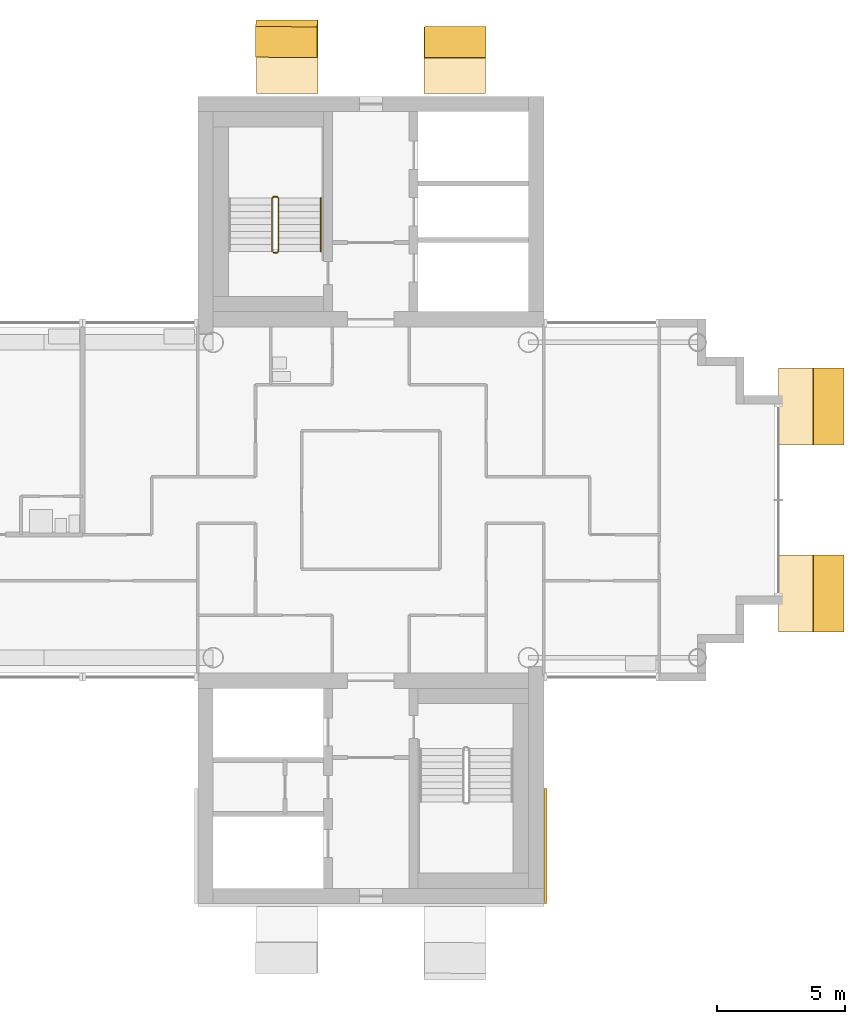
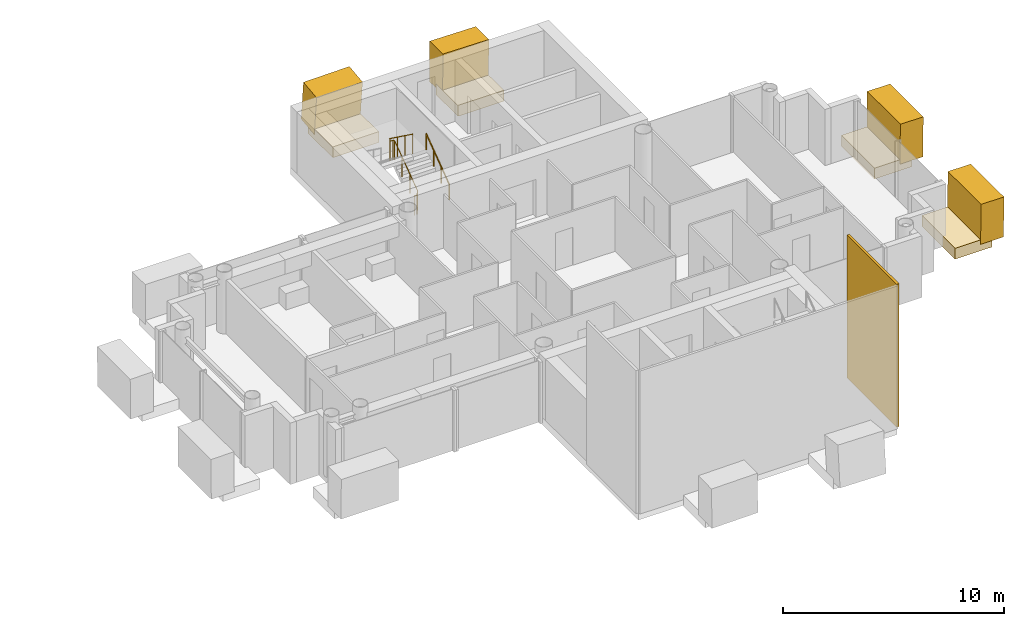
# One storey, part 17 of 18: 9 coverings, 2 railings.
"""IFC4 building model written with IfcOpenShell, lengths in metres."""

from ifc_helpers import new_model, si_unit, direction, frame, origin, origin_2d, place, context, subcontext, project, spatial, rectangle, circle, extrude, material, layer, layer_set, material_profile, profile_set, type_object, element, save


model = new_model("IFC4")

# Units and contexts
model_context = context("Model", 3, precision=1e-05, world=origin(), true_north=direction((0.0, 1.0)))
body_context = subcontext(model_context, "Body", "Model", "MODEL_VIEW")
ifc_project = project(units=[si_unit("LENGTHUNIT", "METRE"), si_unit("AREAUNIT", "SQUARE_METRE"), si_unit("VOLUMEUNIT", "CUBIC_METRE"), si_unit("PLANEANGLEUNIT", "RADIAN"), si_unit("MASSUNIT", "GRAM", prefix="KILO")], contexts=[model_context])

# Site, building, storey
site_placement = place(None, origin())
site = spatial("IfcSite", under=ifc_project, at=site_placement, CompositionType="ELEMENT")
building_placement = place(site_placement, origin())
building = spatial("IfcBuilding", under=site, at=building_placement, Name="Ipe Terrace Towers", CompositionType="ELEMENT")
storey_placement = place(building_placement, frame((0.0, 0.0, 230.0)))
storey = spatial("IfcBuildingStorey", under=building, at=storey_placement, Name="L64", CompositionType="ELEMENT", Elevation=230.0)

# Coverings
ifc_material_1 = material(Name="Concrete C50/60 precast, buff finish", Category="concrete")
ifc_layer = layer(ifc_material_1, 0.1201171875)
ifc_layer_set = layer_set([ifc_layer], Name="STONE CORE CLADDING 120")
covering_type_1 = type_object("IfcCoveringType", Name="STONE CORE CLADDING 120", PredefinedType="CLADDING", material=ifc_layer_set)
covering_1_placement = place(storey_placement, frame((42.81005859375, -13.5, 0.0), z_axis=(0.0, 0.0, 1.0), x_axis=(0.0, 1.0, 0.0)))
element("IfcCovering", 1, at=covering_1_placement, inside=storey, type_object=covering_type_1, Name="stone core cladding", PredefinedType="CLADDING", context=body_context, shape_type="SweptSolid", body=[
    extrude(rectangle(XDim=4.5, YDim=0.1201171875, at=origin_2d()), origin(), (0.0, 0.0, 1.0), 7.89990234375),
])
ifc_material_2 = material(Name="Concrete C50/60 precast, buff finish", Category="concrete")
ifc_material_profile_1 = material_profile(ifc_material_2, rectangle(XDim=2.39990234375, YDim=1.199951171875, at=origin_2d()), Name="STONE FIN 2400 x 1200")
ifc_profile_set_1 = profile_set([ifc_material_profile_1], Name="Concrete C50/60 precast, buff finish")
covering_type_2 = type_object("IfcCoveringType", Name="STONE FIN 2400 x 1200", PredefinedType="USERDEFINED", material=ifc_profile_set_1)
covering_2_placement = place(storey_placement, frame((32.73193359375, 18.131103515625, 0.0), z_axis=(-0.0144350498, -0.117794414014, 0.992933082017), x_axis=(-0.999895809241, 0.001700545419, -0.014334532012)))
element("IfcCovering", 2, at=covering_2_placement, inside=storey, type_object=covering_type_2, Name="stone fin", ObjectType="FIN", PredefinedType="USERDEFINED", context=body_context, shape_type="SweptSolid", body=[
    extrude(rectangle(XDim=2.39990234375, YDim=1.199951171875, at=origin_2d()), origin(), (0.0, 0.0, 1.0), 2.215576171875),
])
covering_3_placement = place(storey_placement, frame((39.26806640625, 17.847900390625, 0.0), z_axis=(0.014535510104, 0.010097186408, 0.99984337062), x_axis=(-0.999894353892, 0.000146783262, 0.014534768958)))
element("IfcCovering", 3, at=covering_3_placement, inside=storey, type_object=covering_type_2, Name="stone fin", ObjectType="FIN", PredefinedType="USERDEFINED", context=body_context, shape_type="SweptSolid", body=[
    extrude(rectangle(XDim=2.39990234375, YDim=1.199951171875, at=origin_2d()), origin(), (0.0, 0.0, 1.0), 2.2001953125),
])
ifc_material_3 = material(Name="Concrete C50/60 precast, buff finish", Category="concrete")
ifc_material_profile_2 = material_profile(ifc_material_3, rectangle(XDim=3.0, YDim=1.199951171875, at=origin_2d()), Name="STONE FIN CORNER 3000 x 1200")
ifc_profile_set_2 = profile_set([ifc_material_profile_2], Name="Concrete C50/60 precast, buff finish")
covering_type_3 = type_object("IfcCoveringType", Name="STONE FIN CORNER 3000 x 1200", PredefinedType="USERDEFINED", material=ifc_profile_set_2)
for number, where, z_axis, x_axis, name in (
    (4, (53.847900390625, -3.64990234375, 0.0), (0.01009825325, 0.0, 0.999949011341), (0.0, 1.0, 0.0), "stone fin"),
    (5, (53.847900390625, 3.64990234375, 0.0), (0.01009825325, 0.0, 0.999949011341), (0.0, 1.0, 0.0), "stone fin"),
):
    element("IfcCovering", number, at=place(storey_placement, frame(where, z_axis=z_axis, x_axis=x_axis)), inside=storey, type_object=covering_type_3, Name=name, ObjectType="FIN", PredefinedType="USERDEFINED", context=body_context, shape_type="SweptSolid", body=[
        extrude(rectangle(XDim=3.0, YDim=1.199951171875, at=origin_2d()), origin(), (0.0, 0.0, 1.0), 2.199951171875),
    ])
ifc_material_4 = material(Name="Concrete C50/60 precast, buff finish", Category="concrete")
covering_type_4 = type_object("IfcCoveringType", Name="STONE FIN SHELF 2400 x 600", PredefinedType="CLADDING", material=ifc_material_4)
covering_4_placement = place(storey_placement, frame((32.73193359375, 16.9951171875, -0.35009765625), z_axis=(0.0, 0.0, 1.0), x_axis=(-1.0, 0.0, 0.0)))
element("IfcCovering", 6, at=covering_4_placement, inside=storey, type_object=covering_type_4, Name="stone fin shelf", PredefinedType="CLADDING", context=body_context, shape_type="SweptSolid", body=[
    extrude(rectangle(XDim=2.39990234375, YDim=2.27099609375, at=origin_2d()), origin(), (0.0, 0.0, 1.0), 0.60009765625),
])
covering_5_placement = place(storey_placement, frame((39.26806640625, 16.85400390625, -0.35009765625), z_axis=(0.0, 0.0, 1.0), x_axis=(-1.0, 0.0, 0.0)))
element("IfcCovering", 7, at=covering_5_placement, inside=storey, type_object=covering_type_4, Name="stone fin shelf", PredefinedType="CLADDING", context=body_context, shape_type="SweptSolid", body=[
    extrude(rectangle(XDim=2.39990234375, YDim=1.988037109375, at=origin_2d()), origin(), (0.0, 0.0, 1.0), 0.60009765625),
])
ifc_material_5 = material(Name="Concrete C50/60 precast, buff finish", Category="concrete")
covering_type_5 = type_object("IfcCoveringType", Name="STONE FIN SHELF 3000 x 600", PredefinedType="CLADDING", material=ifc_material_5)
for number, where, z_axis, x_axis, name in (
    (8, (52.882080078125, -3.64990234375, -0.35009765625), (0.0, 0.0, 1.0), (0.0, 1.0, 0.0), "stone fin shelf"),
    (9, (52.882080078125, 3.64990234375, -0.35009765625), (0.0, 0.0, 1.0), (0.0, 1.0, 0.0), "stone fin shelf"),
):
    element("IfcCovering", number, at=place(storey_placement, frame(where, z_axis=z_axis, x_axis=x_axis)), inside=storey, type_object=covering_type_5, Name=name, PredefinedType="CLADDING", context=body_context, shape_type="SweptSolid", body=[
        extrude(rectangle(XDim=3.0, YDim=1.931884765625, at=origin_2d()), origin(), (0.0, 0.0, 1.0), 0.60009765625),
    ])

# Railings
ifc_material_6 = material(Name="Steel S355", Category="steel")
railing_type_1 = type_object("IfcRailingType", Name="Stair guard 1100", PredefinedType="GUARDRAIL", material=ifc_material_6)
railing_1_placement = place(storey_placement, frame((32.199951171875, 9.64990234375, 0.0)))
element("IfcRailing", 10, at=railing_1_placement, inside=storey, type_object=railing_type_1, Name="L64 T2-ST1 stair guard 1", PredefinedType="GUARDRAIL", context=body_context, shape_type="SweptSolid", body=[
    extrude(circle(Radius=0.02392578125, at=origin_2d()), frame((0.0, 0.0, 1.076171875), z_axis=(1.0, 0.0, 0.0), x_axis=(0.0, 1.0, 0.0)), (0.0, 0.0, 1.0), 0.150146484375),
    extrude(circle(Radius=0.02392578125, at=origin_2d()), frame((0.150146484375, 0.0, 1.076171875), z_axis=(0.246893586699, 0.248103849378, 0.936743314239), x_axis=(-0.708833529934, 0.705375805398, 0.0)), (0.0, 0.0, 1.0), 0.20166015625),
    extrude(circle(Radius=0.02392578125, at=origin_2d()), frame((0.199951171875, 0.050048828125, 1.26513671875), z_axis=(0.0, 0.809068575486, 0.587714250432), x_axis=(-1.0, 0.0, 0.0)), (0.0, 0.0, 1.0), 2.571044921875),
    extrude(circle(Radius=0.02392578125, at=origin_2d()), frame((0.199951171875, 2.130126953125, 2.77587890625), z_axis=(-0.705375805398, 0.708833529934, 0.0), x_axis=(-0.708833529934, -0.705375805398, 0.0)), (0.0, 0.0, 1.0), 0.070556640625),
    extrude(circle(Radius=0.02392578125, at=origin_2d()), frame((0.150146484375, 2.18017578125, 2.77587890625), z_axis=(-1.0, 0.0, 0.0), x_axis=(0.0, -1.0, 0.0)), (0.0, 0.0, 1.0), 0.150146484375),
    extrude(circle(Radius=0.02392578125, at=origin_2d()), frame((0.0, 2.18017578125, 2.77587890625), z_axis=(-0.248029566107, -0.248029566107, 0.936462849596), x_axis=(0.707106781187, -0.707106781187, 0.0)), (0.0, 0.0, 1.0), 0.201904296875),
    extrude(circle(Radius=0.02392578125, at=origin_2d()), frame((-0.050048828125, 2.130126953125, 2.96484375), z_axis=(0.0, -0.809068575486, 0.587714250432), x_axis=(1.0, 0.0, 0.0)), (0.0, 0.0, 1.0), 2.571044921875),
    extrude(circle(Radius=0.02099609375, at=origin_2d()), origin(), (0.0, 0.0, 1.0), 1.052001953125),
    extrude(circle(Radius=0.02099609375, at=origin_2d()), frame((0.150146484375, 0.0, 0.0)), (0.0, 0.0, 1.0), 1.052001953125),
    extrude(circle(Radius=0.02099609375, at=origin_2d()), frame((0.199951171875, 0.050048828125, 0.18896484375)), (0.0, 0.0, 1.0), 1.052001953125),
    extrude(circle(Radius=0.02099609375, at=origin_2d()), frame((0.199951171875, 0.743408203125, 0.692626953125)), (0.0, 0.0, 1.0), 1.052001953125),
    extrude(circle(Radius=0.02099609375, at=origin_2d()), frame((0.199951171875, 1.436767578125, 1.1962890625)), (0.0, 0.0, 1.0), 1.052001953125),
    extrude(circle(Radius=0.02099609375, at=origin_2d()), frame((0.199951171875, 2.130126953125, 1.699951171875)), (0.0, 0.0, 1.0), 1.052001953125),
    extrude(circle(Radius=0.02099609375, at=origin_2d()), frame((0.150146484375, 2.18017578125, 1.699951171875)), (0.0, 0.0, 1.0), 1.052001953125),
    extrude(circle(Radius=0.02099609375, at=origin_2d()), frame((0.0, 2.18017578125, 1.699951171875)), (0.0, 0.0, 1.0), 1.052001953125),
    extrude(circle(Radius=0.02099609375, at=origin_2d()), frame((-0.050048828125, 2.130126953125, 1.888916015625)), (0.0, 0.0, 1.0), 1.052001953125),
    extrude(circle(Radius=0.02099609375, at=origin_2d()), frame((-0.050048828125, 1.436767578125, 2.392578125)), (0.0, 0.0, 1.0), 1.052001953125),
    extrude(circle(Radius=0.02099609375, at=origin_2d()), frame((-0.050048828125, 0.743408203125, 2.896240234375)), (0.0, 0.0, 1.0), 1.052001953125),
    extrude(circle(Radius=0.02099609375, at=origin_2d()), frame((-0.050048828125, 0.050048828125, 3.39990234375)), (0.0, 0.0, 1.0), 1.052001953125),
])
ifc_material_7 = material(Name="Stainless steel grade 304", Category="steel")
railing_type_2 = type_object("IfcRailingType", Name="Stair handrail 900", PredefinedType="HANDRAIL", material=ifc_material_7)
railing_2_placement = place(storey_placement, frame((34.050048828125, 9.699951171875, 0.18896484375)))
element("IfcRailing", 11, at=railing_2_placement, inside=storey, type_object=railing_type_2, Name="L64 T2-ST1 stair handrail 1", PredefinedType="HANDRAIL", context=body_context, shape_type="SweptSolid", body=[
    extrude(circle(Radius=0.02392578125, at=origin_2d()), frame((0.0, 0.0, 0.8759765625), z_axis=(0.0, 0.809068575486, 0.587714250432), x_axis=(-1.0, 0.0, 0.0)), (0.0, 0.0, 1.0), 2.571044921875),
    extrude(circle(Radius=0.02099609375, at=origin_2d()), origin(), (0.0, 0.0, 1.0), 0.851806640625),
    extrude(circle(Radius=0.02099609375, at=origin_2d()), frame((0.0, 0.693359375, 0.503662109375)), (0.0, 0.0, 1.0), 0.851806640625),
    extrude(circle(Radius=0.02099609375, at=origin_2d()), frame((0.0, 1.38671875, 1.00732421875)), (0.0, 0.0, 1.0), 0.851806640625),
    extrude(circle(Radius=0.02099609375, at=origin_2d()), frame((0.0, 2.080078125, 1.510986328125)), (0.0, 0.0, 1.0), 0.851806640625),
])

save(model, "model.ifc")
